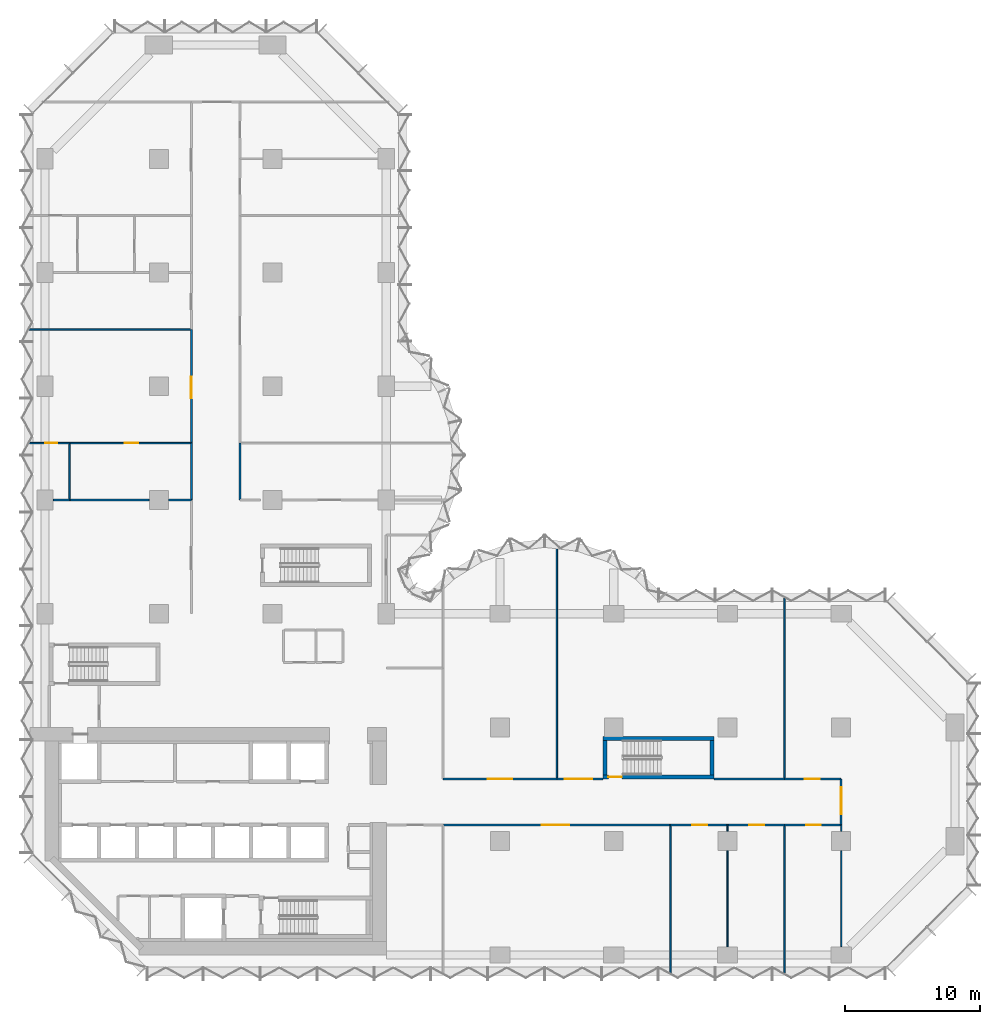
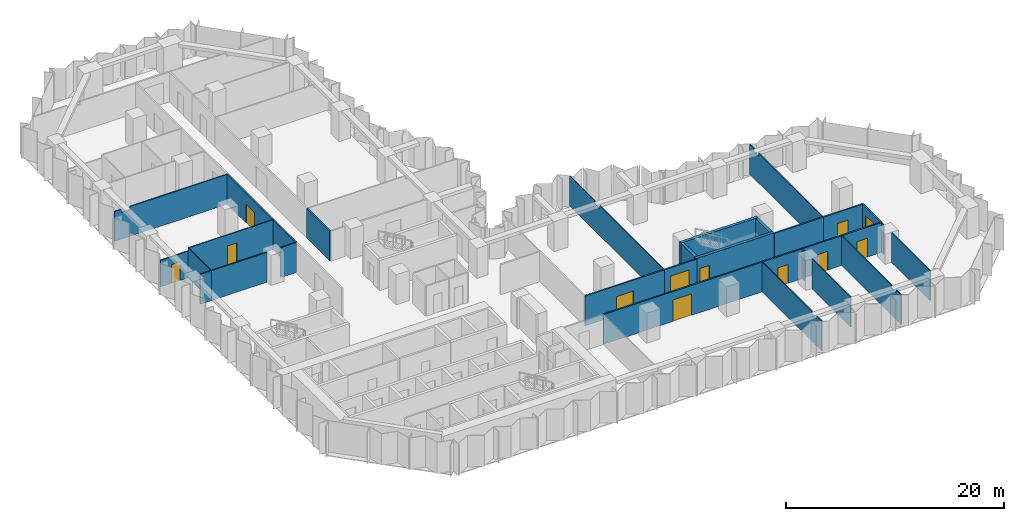
# One storey, part 10 of 15: 31 walls, 12 doors, 12 openings.
"""IFC4 building model written with IfcOpenShell, lengths in metres."""

from ifc_helpers import new_model, si_unit, direction, frame, frame_2d, origin, place, context, subcontext, project, spatial, polyline, rectangle, outline, extrude, material, layer, layer_set, type_object, element, fill, save


model = new_model("IFC4")

# Units and contexts
model_context = context("Model", 3, precision=1e-05, world=origin(), true_north=direction((0.0, 1.0)))
body_context = subcontext(model_context, "Body", "Model", "MODEL_VIEW")
ifc_project = project(units=[si_unit("LENGTHUNIT", "METRE"), si_unit("AREAUNIT", "SQUARE_METRE"), si_unit("VOLUMEUNIT", "CUBIC_METRE"), si_unit("PLANEANGLEUNIT", "RADIAN"), si_unit("MASSUNIT", "GRAM", prefix="KILO")], contexts=[model_context])

# Site, building, storey
site_placement = place(None, origin())
site = spatial("IfcSite", under=ifc_project, at=site_placement, CompositionType="ELEMENT")
building_placement = place(site_placement, origin())
building = spatial("IfcBuilding", under=site, at=building_placement, Name="Brevane Broadcast Tower", CompositionType="ELEMENT")
storey_placement = place(building_placement, frame((0.0, 0.0, 79.699951171875)))
storey = spatial("IfcBuildingStorey", under=building, at=storey_placement, Name="L18", CompositionType="ELEMENT", Elevation=79.699951171875)

# Wall, opening, door
ifc_material_1 = material(Name="Concrete C80/95", Category="concrete")
ifc_layer_1 = layer(ifc_material_1, 0.300048828125)
ifc_layer_set_1 = layer_set([ifc_layer_1], Name="Core wall 300 mm C80/95")
wall_type_1 = type_object("IfcWallType", Name="Core wall 300 mm C80/95", PredefinedType="SHEAR", material=ifc_layer_set_1)
wall_1_placement = place(storey_placement, frame((49.39990234375, 13.14990234375, 0.0), z_axis=(0.0, 0.0, 1.0), x_axis=(-1.0, 0.0, 0.0)))
wall_1 = element("IfcWall", 1, at=wall_1_placement, inside=storey, type_object=wall_type_1, Name="L18 stair wall ST-4-S", PredefinedType="SHEAR", context=body_context, shape_type="SweptSolid", body=[
    extrude(rectangle(XDim=8.199951171875, YDim=0.300048828125, at=frame_2d((4.10009765625, 0.0))), origin(), (0.0, 0.0, 1.0), 3.35009765625),
])
opening_1_placement = place(wall_1_placement, frame((6.800048828125, 0.0, 0.0)))
opening_1 = element("IfcOpeningElement", 2, at=opening_1_placement, cuts=wall_1, Name="Opening L18-K15", PredefinedType="OPENING", context=body_context, shape_type="SweptSolid", body=[
    extrude(rectangle(XDim=1.0, YDim=2.10009765625, at=frame_2d((0.5, 1.050048828125))), frame((0.0, 0.159912109375, 0.0), z_axis=(0.0, -1.0, 0.0), x_axis=(1.0, 0.0, 0.0)), (0.0, 0.0, 1.0), 0.320068359375),
])
ifc_material_2 = material(Name="Steel", Category="steel")
door_type_1 = type_object("IfcDoorType", Name="Stair door 1000 x 2100", OperationType="SINGLE_SWING_LEFT", PredefinedType="DOOR", material=ifc_material_2)
door_1_placement = place(opening_1_placement, origin())
door_1 = element("IfcDoor", 3, at=door_1_placement, inside=storey, type_object=door_type_1, Name="Door L18-K15", OperationType="SINGLE_SWING_LEFT", OverallHeight=2.10009765625, OverallWidth=1.0, PredefinedType="DOOR", context=body_context, shape_type="SweptSolid", body=[
    extrude(rectangle(XDim=1.0, YDim=2.10009765625, at=frame_2d((0.5, 1.050048828125))), frame((0.0, 0.02490234375, 0.0), z_axis=(0.0, -1.0, 0.0), x_axis=(1.0, 0.0, 0.0)), (0.0, 0.0, 1.0), 0.050048828125),
])
fill(opening_1, door_1)

# Walls
wall_2_placement = place(storey_placement, frame((41.199951171875, 16.0, 0.0), z_axis=(0.0, 0.0, 1.0), x_axis=(1.0, 0.0, 0.0)))
element("IfcWall", 4, at=wall_2_placement, inside=storey, type_object=wall_type_1, Name="L18 stair wall ST-4-N", PredefinedType="SHEAR", context=body_context, shape_type="SweptSolid", body=[
    extrude(rectangle(XDim=8.199951171875, YDim=0.300048828125, at=frame_2d((4.10009765625, 0.0))), origin(), (0.0, 0.0, 1.0), 3.35009765625),
])
for number, where, z_axis, x_axis, name in (
    (5, (41.35009765625, 13.300048828125, 0.0), (0.0, 0.0, 1.0), (0.0, 1.0, 0.0), "L18 stair wall ST-4-W"),
    (6, (49.25, 13.300048828125, 0.0), (0.0, 0.0, 1.0), (0.0, 1.0, 0.0), "L18 stair wall ST-4-E"),
):
    element("IfcWall", number, at=place(storey_placement, frame(where, z_axis=z_axis, x_axis=x_axis)), inside=storey, type_object=wall_type_1, Name=name, PredefinedType="SHEAR", context=body_context, shape_type="SweptSolid", body=[
        extrude(rectangle(XDim=2.550048828125, YDim=0.300048828125, at=frame_2d((1.27490234375, 0.0))), origin(), (0.0, 0.0, 1.0), 3.35009765625),
    ])
ifc_material_3 = material(Name="Gypsum board partition")
ifc_layer_2 = layer(ifc_material_3, 0.10009765625)
ifc_layer_set_2 = layer_set([ifc_layer_2], Name="PARTITION 100 STUD")
wall_type_2 = type_object("IfcWallType", Name="PARTITION 100 STUD", PredefinedType="PARTITIONING", material=ifc_layer_set_2)
wall_3_placement = place(storey_placement, frame((58.800048828125, 0.6201171875, 0.0), z_axis=(0.0, 0.0, 1.0), x_axis=(0.0, 1.0, 0.0)))
element("IfcWall", 7, at=wall_3_placement, inside=storey, type_object=wall_type_2, Name="Partition G05-016", PredefinedType="PARTITIONING", context=body_context, shape_type="SweptSolid", body=[
    extrude(rectangle(XDim=7.059814453125, YDim=0.10009765625, at=frame_2d((3.52978515625, 0.0))), origin(), (0.0, 0.0, 1.0), 3.330078125),
])
wall_4_placement = place(storey_placement, frame((58.800048828125, 9.1201171875, 0.0), z_axis=(0.0, 0.0, 1.0), x_axis=(0.0, 1.0, 0.0)))
element("IfcWall", 8, at=wall_4_placement, inside=storey, type_object=wall_type_2, Name="Partition G05-017", PredefinedType="PARTITIONING", context=body_context, shape_type="SweptSolid", body=[
    extrude(rectangle(XDim=0.47998046875, YDim=0.10009765625, at=frame_2d((0.239990234375, 0.0))), origin(), (0.0, 0.0, 1.0), 3.330078125),
])
wall_5_placement = place(storey_placement, frame((46.199951171875, 9.60009765625, 0.0), z_axis=(0.0, 0.0, 1.0), x_axis=(0.0, -1.0, 0.0)))
element("IfcWall", 9, at=wall_5_placement, inside=storey, type_object=wall_type_2, Name="Partition G05-019", PredefinedType="PARTITIONING", context=body_context, shape_type="SweptSolid", body=[
    extrude(outline(polyline([(0.0, 0.0), (10.965087890625, 0.0), (10.965087890625, 3.330078125), (10.699951171875, 3.330078125), (10.050048828125, 3.330078125), (10.048095703125, 2.97998046875), (9.152099609375, 2.97998046875), (9.14990234375, 3.330078125), (0.0, 3.330078125), (0.0, 0.0)])), frame((0.0, 0.050048828125, 0.0), z_axis=(0.0, -1.0, 0.0), x_axis=(1.0, 0.0, 0.0)), (0.0, 0.0, 1.0), 0.10009765625),
])
wall_6_placement = place(storey_placement, frame((50.39990234375, 9.60009765625, 0.0), z_axis=(0.0, 0.0, 1.0), x_axis=(0.0, -1.0, 0.0)))
element("IfcWall", 10, at=wall_6_placement, inside=storey, type_object=wall_type_2, Name="Partition G05-020", PredefinedType="PARTITIONING", context=body_context, shape_type="SweptSolid", body=[
    extrude(rectangle(XDim=0.47998046875, YDim=0.10009765625, at=frame_2d((0.239990234375, 0.0))), origin(), (0.0, 0.0, 1.0), 3.330078125),
])
wall_7_placement = place(storey_placement, frame((50.39990234375, 7.679931640625, 0.0), z_axis=(0.0, 0.0, 1.0), x_axis=(0.0, -1.0, 0.0)))
element("IfcWall", 11, at=wall_7_placement, inside=storey, type_object=wall_type_2, Name="Partition G05-021", PredefinedType="PARTITIONING", context=body_context, shape_type="SweptSolid", body=[
    extrude(rectangle(XDim=7.059814453125, YDim=0.10009765625, at=frame_2d((3.52978515625, 0.0))), origin(), (0.0, 0.0, 1.0), 3.330078125),
])
wall_8_placement = place(storey_placement, frame((54.60009765625, 9.60009765625, 0.0), z_axis=(0.0, 0.0, 1.0), x_axis=(0.0, -1.0, 0.0)))
element("IfcWall", 12, at=wall_8_placement, inside=storey, type_object=wall_type_2, Name="Partition G05-022", PredefinedType="PARTITIONING", context=body_context, shape_type="SweptSolid", body=[
    extrude(outline(polyline([(0.0, 0.0), (10.965087890625, 0.0), (10.965087890625, 3.330078125), (10.699951171875, 3.330078125), (10.050048828125, 3.330078125), (10.048095703125, 2.97998046875), (9.152099609375, 2.97998046875), (9.14990234375, 3.330078125), (0.0, 3.330078125), (0.0, 0.0)])), frame((0.0, 0.050048828125, 0.0), z_axis=(0.0, -1.0, 0.0), x_axis=(1.0, 0.0, 0.0)), (0.0, 0.0, 1.0), 0.10009765625),
])
wall_9_placement = place(storey_placement, frame((37.800048828125, 30.24267578125, 0.0), z_axis=(0.0, 0.0, 1.0), x_axis=(0.0, -1.0, 0.0)))
element("IfcWall", 13, at=wall_9_placement, inside=storey, type_object=wall_type_2, Name="Partition G05-023", PredefinedType="PARTITIONING", context=body_context, shape_type="SweptSolid", body=[
    extrude(outline(polyline([(0.0, 0.0), (17.24267578125, 0.0), (17.24267578125, 3.330078125), (5.49267578125, 3.330078125), (5.49072265625, 2.97998046875), (4.5947265625, 2.97998046875), (4.5927734375, 3.330078125), (0.0, 3.330078125), (0.0, 0.0)])), frame((0.0, 0.050048828125, 0.0), z_axis=(0.0, -1.0, 0.0), x_axis=(1.0, 0.0, 0.0)), (0.0, 0.0, 1.0), 0.10009765625),
])
wall_10_placement = place(storey_placement, frame((54.60009765625, 26.3740234375, 0.0), z_axis=(0.0, 0.0, 1.0), x_axis=(0.0, -1.0, 0.0)))
element("IfcWall", 14, at=wall_10_placement, inside=storey, type_object=wall_type_2, Name="Partition G05-024", PredefinedType="PARTITIONING", context=body_context, shape_type="SweptSolid", body=[
    extrude(outline(polyline([(0.0, 0.0), (13.3740234375, 0.0), (13.3740234375, 3.330078125), (1.6240234375, 3.330078125), (1.6220703125, 2.97998046875), (0.72607421875, 2.97998046875), (0.72412109375, 3.330078125), (0.073974609375, 3.330078125), (0.0, 3.330078125), (0.0, 0.0)])), frame((0.0, 0.050048828125, 0.0), z_axis=(0.0, -1.0, 0.0), x_axis=(1.0, 0.0, 0.0)), (0.0, 0.0, 1.0), 0.10009765625),
])

# Wall, opening, door
wall_11_placement = place(storey_placement, frame((1.800048828125, 37.800048828125, 0.0), z_axis=(0.0, 0.0, 1.0), x_axis=(-1.0, 0.0, 0.0)))
wall_11 = element("IfcWall", 15, at=wall_11_placement, inside=storey, type_object=wall_type_2, Name="Partition G05-044", PredefinedType="PARTITIONING", context=body_context, shape_type="SweptSolid", body=[
    extrude(rectangle(XDim=2.97412109375, YDim=0.10009765625, at=frame_2d((1.487060546875, 0.0))), origin(), (0.0, 0.0, 1.0), 2.97998046875),
])
opening_2_placement = place(wall_11_placement, frame((0.89990234375, 0.0, 0.0)))
opening_2 = element("IfcOpeningElement", 16, at=opening_2_placement, cuts=wall_11, Name="Opening D11-014", PredefinedType="OPENING", context=body_context, shape_type="SweptSolid", body=[
    extrude(rectangle(XDim=0.89990234375, YDim=2.10009765625, at=frame_2d((0.449951171875, 1.050048828125))), frame((0.0, 0.06005859375, 0.0), z_axis=(0.0, -1.0, 0.0), x_axis=(1.0, 0.0, 0.0)), (0.0, 0.0, 1.0), 0.1201171875),
])
ifc_material_4 = material(Name="Timber door leaf", Category="wood")
door_type_2 = type_object("IfcDoorType", Name="DOOR SINGLE 900 INTERNAL", OperationType="SINGLE_SWING_LEFT", PredefinedType="DOOR", material=ifc_material_4)
door_2_placement = place(opening_2_placement, origin())
door_2 = element("IfcDoor", 17, at=door_2_placement, inside=storey, type_object=door_type_2, Name="Door D11-014", OperationType="SINGLE_SWING_LEFT", OverallHeight=2.10009765625, OverallWidth=0.89990234375, PredefinedType="DOOR", context=body_context, shape_type="SweptSolid", body=[
    extrude(rectangle(XDim=0.89990234375, YDim=2.10009765625, at=frame_2d((0.449951171875, 1.050048828125))), frame((0.0, 0.02490234375, 0.0), z_axis=(0.0, -1.0, 0.0), x_axis=(1.0, 0.0, 0.0)), (0.0, 0.0, 1.0), 0.050048828125),
])
fill(opening_2, door_2)

wall_12_placement = place(storey_placement, frame((10.800048828125, 37.800048828125, 0.0), z_axis=(0.0, 0.0, 1.0), x_axis=(-1.0, 0.0, 0.0)))
wall_12 = element("IfcWall", 18, at=wall_12_placement, inside=storey, type_object=wall_type_2, Name="Partition G05-045", PredefinedType="PARTITIONING", context=body_context, shape_type="SweptSolid", body=[
    extrude(rectangle(XDim=9.0, YDim=0.10009765625, at=frame_2d((4.5, 0.0))), origin(), (0.0, 0.0, 1.0), 3.330078125),
])
opening_3_placement = place(wall_12_placement, frame((3.89990234375, 0.0, 0.0)))
opening_3 = element("IfcOpeningElement", 19, at=opening_3_placement, cuts=wall_12, Name="Opening D11-015", PredefinedType="OPENING", context=body_context, shape_type="SweptSolid", body=[
    extrude(rectangle(XDim=1.0, YDim=2.10009765625, at=frame_2d((0.5, 1.050048828125))), frame((0.0, 0.06005859375, 0.0), z_axis=(0.0, -1.0, 0.0), x_axis=(1.0, 0.0, 0.0)), (0.0, 0.0, 1.0), 0.1201171875),
])
door_type_3 = type_object("IfcDoorType", Name="DOOR SINGLE 1000 INTERNAL", OperationType="SINGLE_SWING_LEFT", PredefinedType="DOOR", material=ifc_material_4)
door_3_placement = place(opening_3_placement, origin())
door_3 = element("IfcDoor", 20, at=door_3_placement, inside=storey, type_object=door_type_3, Name="Door D11-015", OperationType="SINGLE_SWING_LEFT", OverallHeight=2.10009765625, OverallWidth=1.0, PredefinedType="DOOR", context=body_context, shape_type="SweptSolid", body=[
    extrude(rectangle(XDim=1.0, YDim=2.10009765625, at=frame_2d((0.5, 1.050048828125))), frame((0.0, 0.02490234375, 0.0), z_axis=(0.0, -1.0, 0.0), x_axis=(1.0, 0.0, 0.0)), (0.0, 0.0, 1.0), 0.050048828125),
])
fill(opening_3, door_3)

# Walls
wall_13_placement = place(storey_placement, frame((1.800048828125, 37.800048828125, 0.0), z_axis=(0.0, 0.0, 1.0), x_axis=(0.0, -1.0, 0.0)))
element("IfcWall", 21, at=wall_13_placement, inside=storey, type_object=wall_type_2, Name="Partition G05-047", PredefinedType="PARTITIONING", context=body_context, shape_type="SweptSolid", body=[
    extrude(rectangle(XDim=4.199951171875, YDim=0.10009765625, at=frame_2d((2.10009765625, 0.0))), origin(), (0.0, 0.0, 1.0), 3.330078125),
])
ifc_layer_3 = layer(ifc_material_3, 0.125)
ifc_layer_set_3 = layer_set([ifc_layer_3], Name="PARTITION 125 ACOUSTIC")
wall_type_3 = type_object("IfcWallType", Name="PARTITION 125 ACOUSTIC", PredefinedType="PARTITIONING", material=ifc_layer_set_3)
wall_14_placement = place(storey_placement, frame((0.6201171875, 33.60009765625, 0.0), z_axis=(0.0, 0.0, 1.0), x_axis=(1.0, 0.0, 0.0)))
element("IfcWall", 22, at=wall_14_placement, inside=storey, type_object=wall_type_3, Name="Partition G05-041", PredefinedType="PARTITIONING", context=body_context, shape_type="SweptSolid", body=[
    extrude(rectangle(XDim=1.179931640625, YDim=0.125, at=frame_2d((0.58984375, 0.0))), origin(), (0.0, 0.0, 1.0), 3.330078125),
])
wall_15_placement = place(storey_placement, frame((1.800048828125, 33.60009765625, 0.0), z_axis=(0.0, 0.0, 1.0), x_axis=(1.0, 0.0, 0.0)))
element("IfcWall", 23, at=wall_15_placement, inside=storey, type_object=wall_type_3, Name="Partition G05-042", PredefinedType="PARTITIONING", context=body_context, shape_type="SweptSolid", body=[
    extrude(rectangle(XDim=5.8798828125, YDim=0.125, at=frame_2d((2.93994140625, 0.0))), origin(), (0.0, 0.0, 1.0), 3.330078125),
])
wall_16_placement = place(storey_placement, frame((9.1201171875, 33.60009765625, 0.0), z_axis=(0.0, 0.0, 1.0), x_axis=(1.0, 0.0, 0.0)))
element("IfcWall", 24, at=wall_16_placement, inside=storey, type_object=wall_type_3, Name="Partition G05-043", PredefinedType="PARTITIONING", context=body_context, shape_type="SweptSolid", body=[
    extrude(rectangle(XDim=1.679931640625, YDim=0.125, at=frame_2d((0.83984375, 0.0))), origin(), (0.0, 0.0, 1.0), 3.330078125),
])
wall_17_placement = place(storey_placement, frame((-1.174072265625, 46.199951171875, 0.0), z_axis=(0.0, 0.0, 1.0), x_axis=(1.0, 0.0, 0.0)))
element("IfcWall", 25, at=wall_17_placement, inside=storey, type_object=wall_type_3, Name="Partition G05-046", PredefinedType="PARTITIONING", context=body_context, shape_type="SweptSolid", body=[
    extrude(outline(polyline([(0.0, 0.0), (11.97412109375, 0.0), (11.97412109375, 3.330078125), (1.6240234375, 3.330078125), (1.6220703125, 2.97998046875), (0.72607421875, 2.97998046875), (0.72412109375, 3.330078125), (0.073974609375, 3.330078125), (0.0, 3.330078125), (0.0, 0.0)])), frame((0.0, 0.0625, 0.0), z_axis=(0.0, -1.0, 0.0), x_axis=(1.0, 0.0, 0.0)), (0.0, 0.0, 1.0), 0.125),
])

# Wall, opening, door
ifc_layer_4 = layer(ifc_material_3, 0.14990234375)
ifc_layer_set_4 = layer_set([ifc_layer_4], Name="PARTITION 150 EI 60")
wall_type_4 = type_object("IfcWallType", Name="PARTITION 150 EI 60", PredefinedType="PARTITIONING", material=ifc_layer_set_4)
wall_18_placement = place(storey_placement, frame((58.800048828125, 13.0, 0.0), z_axis=(0.0, 0.0, 1.0), x_axis=(0.0, -1.0, 0.0)))
wall_18 = element("IfcWall", 26, at=wall_18_placement, inside=storey, type_object=wall_type_4, Name="Partition G05-007", PredefinedType="PARTITIONING", context=body_context, shape_type="SweptSolid", body=[
    extrude(rectangle(XDim=3.39990234375, YDim=0.14990234375, at=frame_2d((1.699951171875, 0.0))), origin(), (0.0, 0.0, 1.0), 3.330078125),
])
opening_4_placement = place(wall_18_placement, frame((0.60009765625, 0.0, 0.0)))
opening_4 = element("IfcOpeningElement", 27, at=opening_4_placement, cuts=wall_18, Name="Opening D11-002", PredefinedType="OPENING", context=body_context, shape_type="SweptSolid", body=[
    extrude(rectangle(XDim=2.0, YDim=2.39990234375, at=frame_2d((1.0, 1.199951171875))), frame((0.0, 0.0849609375, 0.0), z_axis=(0.0, -1.0, 0.0), x_axis=(1.0, 0.0, 0.0)), (0.0, 0.0, 1.0), 0.169921875),
])
ifc_material_5 = material(Name="Fire-rated timber door leaf", Category="wood")
door_type_4 = type_object("IfcDoorType", Name="DOOR DOUBLE 2000 FD30S", OperationType="DOUBLE_DOOR_SINGLE_SWING", PredefinedType="DOOR", material=ifc_material_5)
door_4_placement = place(opening_4_placement, origin())
door_4 = element("IfcDoor", 28, at=door_4_placement, inside=storey, type_object=door_type_4, Name="Door D11-002", OperationType="DOUBLE_DOOR_SINGLE_SWING", OverallHeight=2.39990234375, OverallWidth=2.0, PredefinedType="DOOR", context=body_context, shape_type="SweptSolid", body=[
    extrude(rectangle(XDim=2.0, YDim=2.39990234375, at=frame_2d((1.0, 1.199951171875))), frame((0.0, 0.02490234375, 0.0), z_axis=(0.0, -1.0, 0.0), x_axis=(1.0, 0.0, 0.0)), (0.0, 0.0, 1.0), 0.050048828125),
])
fill(opening_4, door_4)

wall_19_placement = place(storey_placement, frame((46.199951171875, 9.60009765625, 0.0), z_axis=(0.0, 0.0, 1.0), x_axis=(-1.0, 0.0, 0.0)))
wall_19 = element("IfcWall", 29, at=wall_19_placement, inside=storey, type_object=wall_type_4, Name="Partition G05-008", PredefinedType="PARTITIONING", context=body_context, shape_type="SweptSolid", body=[
    extrude(rectangle(XDim=16.800048828125, YDim=0.14990234375, at=frame_2d((8.39990234375, 0.0))), origin(), (0.0, 0.0, 1.0), 3.330078125),
])
opening_5_placement = place(wall_19_placement, frame((7.5, 0.0, 0.0)))
opening_5 = element("IfcOpeningElement", 30, at=opening_5_placement, cuts=wall_19, Name="Opening D11-004", PredefinedType="OPENING", context=body_context, shape_type="SweptSolid", body=[
    extrude(rectangle(XDim=2.0, YDim=2.39990234375, at=frame_2d((1.0, 1.199951171875))), frame((0.0, 0.0849609375, 0.0), z_axis=(0.0, -1.0, 0.0), x_axis=(1.0, 0.0, 0.0)), (0.0, 0.0, 1.0), 0.169921875),
])
door_5_placement = place(opening_5_placement, origin())
door_5 = element("IfcDoor", 31, at=door_5_placement, inside=storey, type_object=door_type_4, Name="Door D11-004", OperationType="DOUBLE_DOOR_SINGLE_SWING", OverallHeight=2.39990234375, OverallWidth=2.0, PredefinedType="DOOR", context=body_context, shape_type="SweptSolid", body=[
    extrude(rectangle(XDim=2.0, YDim=2.39990234375, at=frame_2d((1.0, 1.199951171875))), frame((0.0, 0.02490234375, 0.0), z_axis=(0.0, -1.0, 0.0), x_axis=(1.0, 0.0, 0.0)), (0.0, 0.0, 1.0), 0.050048828125),
])
fill(opening_5, door_5)

wall_20_placement = place(storey_placement, frame((50.39990234375, 9.60009765625, 0.0), z_axis=(0.0, 0.0, 1.0), x_axis=(-1.0, 0.0, 0.0)))
wall_20 = element("IfcWall", 32, at=wall_20_placement, inside=storey, type_object=wall_type_4, Name="Partition G05-009", PredefinedType="PARTITIONING", context=body_context, shape_type="SweptSolid", body=[
    extrude(rectangle(XDim=4.199951171875, YDim=0.14990234375, at=frame_2d((2.10009765625, 0.0))), origin(), (0.0, 0.0, 1.0), 3.330078125),
])
opening_6_placement = place(wall_20_placement, frame((1.5, 0.0, 0.0)))
opening_6 = element("IfcOpeningElement", 33, at=opening_6_placement, cuts=wall_20, Name="Opening D11-005", PredefinedType="OPENING", context=body_context, shape_type="SweptSolid", body=[
    extrude(rectangle(XDim=1.10009765625, YDim=2.10009765625, at=frame_2d((0.550048828125, 1.050048828125))), frame((0.0, 0.0849609375, 0.0), z_axis=(0.0, -1.0, 0.0), x_axis=(1.0, 0.0, 0.0)), (0.0, 0.0, 1.0), 0.169921875),
])
door_type_5 = type_object("IfcDoorType", Name="DOOR SINGLE 1100 FD30S", OperationType="SINGLE_SWING_LEFT", PredefinedType="DOOR", material=ifc_material_5)
door_6_placement = place(opening_6_placement, origin())
door_6 = element("IfcDoor", 34, at=door_6_placement, inside=storey, type_object=door_type_5, Name="Door D11-005", OperationType="SINGLE_SWING_LEFT", OverallHeight=2.10009765625, OverallWidth=1.10009765625, PredefinedType="DOOR", context=body_context, shape_type="SweptSolid", body=[
    extrude(rectangle(XDim=1.10009765625, YDim=2.10009765625, at=frame_2d((0.550048828125, 1.050048828125))), frame((0.0, 0.02490234375, 0.0), z_axis=(0.0, -1.0, 0.0), x_axis=(1.0, 0.0, 0.0)), (0.0, 0.0, 1.0), 0.050048828125),
])
fill(opening_6, door_6)

wall_21_placement = place(storey_placement, frame((54.60009765625, 9.60009765625, 0.0), z_axis=(0.0, 0.0, 1.0), x_axis=(-1.0, 0.0, 0.0)))
wall_21 = element("IfcWall", 35, at=wall_21_placement, inside=storey, type_object=wall_type_4, Name="Partition G05-010", PredefinedType="PARTITIONING", context=body_context, shape_type="SweptSolid", body=[
    extrude(rectangle(XDim=4.2001953125, YDim=0.14990234375, at=frame_2d((2.10009765625, 0.0))), origin(), (0.0, 0.0, 1.0), 3.330078125),
])
opening_7_placement = place(wall_21_placement, frame((1.5, 0.0, 0.0)))
opening_7 = element("IfcOpeningElement", 36, at=opening_7_placement, cuts=wall_21, Name="Opening D11-006", PredefinedType="OPENING", context=body_context, shape_type="SweptSolid", body=[
    extrude(rectangle(XDim=1.10009765625, YDim=2.10009765625, at=frame_2d((0.550048828125, 1.050048828125))), frame((0.0, 0.0849609375, 0.0), z_axis=(0.0, -1.0, 0.0), x_axis=(1.0, 0.0, 0.0)), (0.0, 0.0, 1.0), 0.169921875),
])
door_7_placement = place(opening_7_placement, origin())
door_7 = element("IfcDoor", 37, at=door_7_placement, inside=storey, type_object=door_type_5, Name="Door D11-006", OperationType="SINGLE_SWING_LEFT", OverallHeight=2.10009765625, OverallWidth=1.10009765625, PredefinedType="DOOR", context=body_context, shape_type="SweptSolid", body=[
    extrude(rectangle(XDim=1.10009765625, YDim=2.10009765625, at=frame_2d((0.550048828125, 1.050048828125))), frame((0.0, 0.02490234375, 0.0), z_axis=(0.0, -1.0, 0.0), x_axis=(1.0, 0.0, 0.0)), (0.0, 0.0, 1.0), 0.050048828125),
])
fill(opening_7, door_7)

wall_22_placement = place(storey_placement, frame((58.800048828125, 9.60009765625, 0.0), z_axis=(0.0, 0.0, 1.0), x_axis=(-1.0, 0.0, 0.0)))
wall_22 = element("IfcWall", 38, at=wall_22_placement, inside=storey, type_object=wall_type_4, Name="Partition G05-011", PredefinedType="PARTITIONING", context=body_context, shape_type="SweptSolid", body=[
    extrude(rectangle(XDim=4.199951171875, YDim=0.14990234375, at=frame_2d((2.10009765625, 0.0))), origin(), (0.0, 0.0, 1.0), 3.330078125),
])
opening_8_placement = place(wall_22_placement, frame((1.5, 0.0, 0.0)))
opening_8 = element("IfcOpeningElement", 39, at=opening_8_placement, cuts=wall_22, Name="Opening D11-007", PredefinedType="OPENING", context=body_context, shape_type="SweptSolid", body=[
    extrude(rectangle(XDim=1.10009765625, YDim=2.10009765625, at=frame_2d((0.550048828125, 1.050048828125))), frame((0.0, 0.0849609375, 0.0), z_axis=(0.0, -1.0, 0.0), x_axis=(1.0, 0.0, 0.0)), (0.0, 0.0, 1.0), 0.169921875),
])
door_8_placement = place(opening_8_placement, origin())
door_8 = element("IfcDoor", 40, at=door_8_placement, inside=storey, type_object=door_type_5, Name="Door D11-007", OperationType="SINGLE_SWING_LEFT", OverallHeight=2.10009765625, OverallWidth=1.10009765625, PredefinedType="DOOR", context=body_context, shape_type="SweptSolid", body=[
    extrude(rectangle(XDim=1.10009765625, YDim=2.10009765625, at=frame_2d((0.550048828125, 1.050048828125))), frame((0.0, 0.02490234375, 0.0), z_axis=(0.0, -1.0, 0.0), x_axis=(1.0, 0.0, 0.0)), (0.0, 0.0, 1.0), 0.050048828125),
])
fill(opening_8, door_8)

wall_23_placement = place(storey_placement, frame((29.39990234375, 13.0, 0.0), z_axis=(0.0, 0.0, 1.0), x_axis=(1.0, 0.0, 0.0)))
wall_23 = element("IfcWall", 41, at=wall_23_placement, inside=storey, type_object=wall_type_4, Name="Partition G05-012", PredefinedType="PARTITIONING", context=body_context, shape_type="SweptSolid", body=[
    extrude(rectangle(XDim=8.400146484375, YDim=0.14990234375, at=frame_2d((4.2001953125, 0.0))), origin(), (0.0, 0.0, 1.0), 3.330078125),
])
opening_9_placement = place(wall_23_placement, frame((3.300048828125, 0.0, 0.0)))
opening_9 = element("IfcOpeningElement", 42, at=opening_9_placement, cuts=wall_23, Name="Opening D11-008", PredefinedType="OPENING", context=body_context, shape_type="SweptSolid", body=[
    extrude(rectangle(XDim=1.800048828125, YDim=2.10009765625, at=frame_2d((0.89990234375, 1.050048828125))), frame((0.0, 0.0849609375, 0.0), z_axis=(0.0, -1.0, 0.0), x_axis=(1.0, 0.0, 0.0)), (0.0, 0.0, 1.0), 0.169921875),
])
door_type_6 = type_object("IfcDoorType", Name="DOOR DOUBLE 1800 FD30S", OperationType="DOUBLE_DOOR_SINGLE_SWING", PredefinedType="DOOR", material=ifc_material_5)
door_9_placement = place(opening_9_placement, origin())
door_9 = element("IfcDoor", 43, at=door_9_placement, inside=storey, type_object=door_type_6, Name="Door D11-008", OperationType="DOUBLE_DOOR_SINGLE_SWING", OverallHeight=2.10009765625, OverallWidth=1.800048828125, PredefinedType="DOOR", context=body_context, shape_type="SweptSolid", body=[
    extrude(rectangle(XDim=1.800048828125, YDim=2.10009765625, at=frame_2d((0.89990234375, 1.050048828125))), frame((0.0, 0.02490234375, 0.0), z_axis=(0.0, -1.0, 0.0), x_axis=(1.0, 0.0, 0.0)), (0.0, 0.0, 1.0), 0.050048828125),
])
fill(opening_9, door_9)

wall_24_placement = place(storey_placement, frame((37.800048828125, 13.0, 0.0), z_axis=(0.0, 0.0, 1.0), x_axis=(1.0, 0.0, 0.0)))
wall_24 = element("IfcWall", 44, at=wall_24_placement, inside=storey, type_object=wall_type_4, Name="Partition G05-013", PredefinedType="PARTITIONING", context=body_context, shape_type="SweptSolid", body=[
    extrude(rectangle(XDim=3.39990234375, YDim=0.14990234375, at=frame_2d((1.699951171875, 0.0))), origin(), (0.0, 0.0, 1.0), 3.330078125),
])
opening_10_placement = place(wall_24_placement, frame((0.60009765625, 0.0, 0.0)))
opening_10 = element("IfcOpeningElement", 45, at=opening_10_placement, cuts=wall_24, Name="Opening D11-009", PredefinedType="OPENING", context=body_context, shape_type="SweptSolid", body=[
    extrude(rectangle(XDim=2.0, YDim=2.39990234375, at=frame_2d((1.0, 1.199951171875))), frame((0.0, 0.0849609375, 0.0), z_axis=(0.0, -1.0, 0.0), x_axis=(1.0, 0.0, 0.0)), (0.0, 0.0, 1.0), 0.169921875),
])
door_10_placement = place(opening_10_placement, origin())
door_10 = element("IfcDoor", 46, at=door_10_placement, inside=storey, type_object=door_type_4, Name="Door D11-009", OperationType="DOUBLE_DOOR_SINGLE_SWING", OverallHeight=2.39990234375, OverallWidth=2.0, PredefinedType="DOOR", context=body_context, shape_type="SweptSolid", body=[
    extrude(rectangle(XDim=2.0, YDim=2.39990234375, at=frame_2d((1.0, 1.199951171875))), frame((0.0, 0.02490234375, 0.0), z_axis=(0.0, -1.0, 0.0), x_axis=(1.0, 0.0, 0.0)), (0.0, 0.0, 1.0), 0.050048828125),
])
fill(opening_10, door_10)

# Wall
wall_25_placement = place(storey_placement, frame((49.39990234375, 13.0, 0.0), z_axis=(0.0, 0.0, 1.0), x_axis=(1.0, 0.0, 0.0)))
element("IfcWall", 47, at=wall_25_placement, inside=storey, type_object=wall_type_4, Name="Partition G05-014", PredefinedType="PARTITIONING", context=body_context, shape_type="SweptSolid", body=[
    extrude(rectangle(XDim=5.2001953125, YDim=0.14990234375, at=frame_2d((2.60009765625, 0.0))), origin(), (0.0, 0.0, 1.0), 3.330078125),
])

# Wall, opening, door
wall_26_placement = place(storey_placement, frame((54.60009765625, 13.0, 0.0), z_axis=(0.0, 0.0, 1.0), x_axis=(1.0, 0.0, 0.0)))
wall_26 = element("IfcWall", 48, at=wall_26_placement, inside=storey, type_object=wall_type_4, Name="Partition G05-015", PredefinedType="PARTITIONING", context=body_context, shape_type="SweptSolid", body=[
    extrude(rectangle(XDim=4.199951171875, YDim=0.14990234375, at=frame_2d((2.10009765625, 0.0))), origin(), (0.0, 0.0, 1.0), 3.330078125),
])
opening_11_placement = place(wall_26_placement, frame((1.5, 0.0, 0.0)))
opening_11 = element("IfcOpeningElement", 49, at=opening_11_placement, cuts=wall_26, Name="Opening D11-010", PredefinedType="OPENING", context=body_context, shape_type="SweptSolid", body=[
    extrude(rectangle(XDim=1.10009765625, YDim=2.10009765625, at=frame_2d((0.550048828125, 1.050048828125))), frame((0.0, 0.0849609375, 0.0), z_axis=(0.0, -1.0, 0.0), x_axis=(1.0, 0.0, 0.0)), (0.0, 0.0, 1.0), 0.169921875),
])
door_11_placement = place(opening_11_placement, origin())
door_11 = element("IfcDoor", 50, at=door_11_placement, inside=storey, type_object=door_type_5, Name="Door D11-010", OperationType="SINGLE_SWING_LEFT", OverallHeight=2.10009765625, OverallWidth=1.10009765625, PredefinedType="DOOR", context=body_context, shape_type="SweptSolid", body=[
    extrude(rectangle(XDim=1.10009765625, YDim=2.10009765625, at=frame_2d((0.550048828125, 1.050048828125))), frame((0.0, 0.02490234375, 0.0), z_axis=(0.0, -1.0, 0.0), x_axis=(1.0, 0.0, 0.0)), (0.0, 0.0, 1.0), 0.050048828125),
])
fill(opening_11, door_11)

wall_27_placement = place(storey_placement, frame((10.800048828125, 37.800048828125, 0.0), z_axis=(0.0, 0.0, 1.0), x_axis=(0.0, 1.0, 0.0)))
wall_27 = element("IfcWall", 51, at=wall_27_placement, inside=storey, type_object=wall_type_4, Name="Partition G05-030", PredefinedType="PARTITIONING", context=body_context, shape_type="SweptSolid", body=[
    extrude(rectangle(XDim=8.39990234375, YDim=0.14990234375, at=frame_2d((4.199951171875, 0.0))), origin(), (0.0, 0.0, 1.0), 3.330078125),
])
opening_12_placement = place(wall_27_placement, frame((3.300048828125, 0.0, 0.0)))
opening_12 = element("IfcOpeningElement", 52, at=opening_12_placement, cuts=wall_27, Name="Opening D11-013", PredefinedType="OPENING", context=body_context, shape_type="SweptSolid", body=[
    extrude(rectangle(XDim=1.60009765625, YDim=2.10009765625, at=frame_2d((0.800048828125, 1.050048828125))), frame((0.0, 0.0849609375, 0.0), z_axis=(0.0, -1.0, 0.0), x_axis=(1.0, 0.0, 0.0)), (0.0, 0.0, 1.0), 0.169921875),
])
door_type_7 = type_object("IfcDoorType", Name="DOOR DOUBLE 1600 FD30S", OperationType="DOUBLE_DOOR_SINGLE_SWING", PredefinedType="DOOR", material=ifc_material_5)
door_12_placement = place(opening_12_placement, origin())
door_12 = element("IfcDoor", 53, at=door_12_placement, inside=storey, type_object=door_type_7, Name="Door D11-013", OperationType="DOUBLE_DOOR_SINGLE_SWING", OverallHeight=2.10009765625, OverallWidth=1.60009765625, PredefinedType="DOOR", context=body_context, shape_type="SweptSolid", body=[
    extrude(rectangle(XDim=1.60009765625, YDim=2.10009765625, at=frame_2d((0.800048828125, 1.050048828125))), frame((0.0, 0.02490234375, 0.0), z_axis=(0.0, -1.0, 0.0), x_axis=(1.0, 0.0, 0.0)), (0.0, 0.0, 1.0), 0.050048828125),
])
fill(opening_12, door_12)

# Walls
for number, where, z_axis, x_axis, name in (
    (54, (10.800048828125, 33.60009765625, 0.0), (0.0, 0.0, 1.0), (0.0, 1.0, 0.0), "Partition G05-031"),
    (55, (14.39990234375, 37.800048828125, 0.0), (0.0, 0.0, 1.0), (0.0, -1.0, 0.0), "Partition G05-035"),
):
    element("IfcWall", number, at=place(storey_placement, frame(where, z_axis=z_axis, x_axis=x_axis)), inside=storey, type_object=wall_type_4, Name=name, PredefinedType="PARTITIONING", context=body_context, shape_type="SweptSolid", body=[
        extrude(rectangle(XDim=4.199951171875, YDim=0.14990234375, at=frame_2d((2.10009765625, 0.0))), origin(), (0.0, 0.0, 1.0), 3.330078125),
    ])

save(model, "model.ifc")
